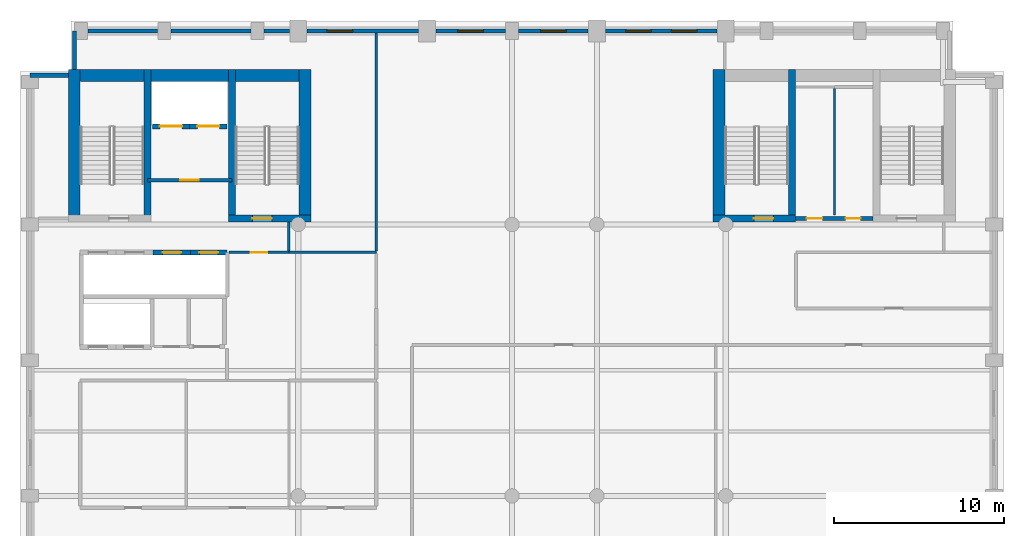
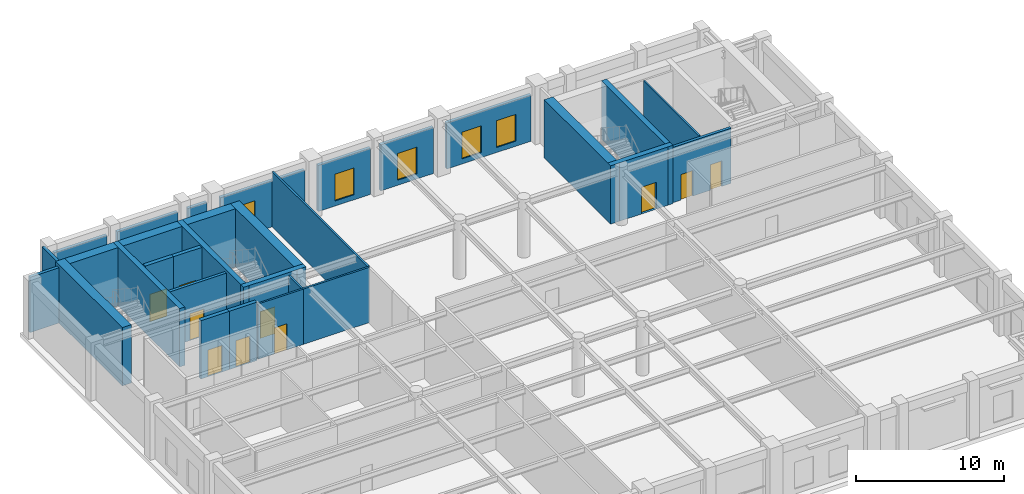
# One storey, part 6 of 10: 29 walls, 10 doors, 5 windows, 15 openings.
"""IFC4 building model written with IfcOpenShell, lengths in metres."""

from ifc_helpers import new_model, si_unit, direction, frame, frame_2d, origin, place, context, subcontext, project, spatial, rectangle, extrude, material, layer, layer_set, type_object, element, fill, save


model = new_model("IFC4")

# Units and contexts
model_context = context("Model", 3, precision=1e-05, world=origin(), true_north=direction((0.0, 1.0)))
body_context = subcontext(model_context, "Body", "Model", "MODEL_VIEW")
ifc_project = project(units=[si_unit("LENGTHUNIT", "METRE"), si_unit("AREAUNIT", "SQUARE_METRE"), si_unit("VOLUMEUNIT", "CUBIC_METRE"), si_unit("PLANEANGLEUNIT", "RADIAN"), si_unit("MASSUNIT", "GRAM", prefix="KILO")], contexts=[model_context])

# Site, building, storey
site_placement = place(None, origin())
site = spatial("IfcSite", under=ifc_project, at=site_placement, CompositionType="ELEMENT")
building_placement = place(site_placement, origin())
building = spatial("IfcBuilding", under=site, at=building_placement, Name="Sulina Concourse Tower", CompositionType="ELEMENT")
storey_placement = place(building_placement, frame((0.0, 0.0, 243.800048828125)))
storey = spatial("IfcBuildingStorey", under=building, at=storey_placement, Name="L59", CompositionType="ELEMENT", Elevation=243.800048828125)

# Wall, opening, door
ifc_material_1 = material(Name="Concrete C50/60", Category="concrete")
ifc_layer_1 = layer(ifc_material_1, 0.300048828125)
ifc_layer_set_1 = layer_set([ifc_layer_1], Name="Concrete C50/60")
wall_type_1 = type_object("IfcWallType", Name="Core Lift Hoistway Wall 300mm", PredefinedType="SOLIDWALL", material=ifc_layer_set_1)
wall_1_placement = place(storey_placement, frame((7.85009765625, 32.35009765625, 0.0), z_axis=(0.0, 0.0, 1.0), x_axis=(1.0, 0.0, 0.0)))
wall_1 = element("IfcWall", 1, at=wall_1_placement, inside=storey, type_object=wall_type_1, Name="L59 hoistway enclosure wall LP-11", PredefinedType="SOLIDWALL", context=body_context, shape_type="SweptSolid", body=[
    extrude(rectangle(XDim=2.199951171875, YDim=0.300048828125, at=frame_2d((1.10009765625, 0.0))), origin(), (0.0, 0.0, 1.0), 4.800048828125),
])
opening_1_placement = place(wall_1_placement, frame((0.550048828125, 0.0, 0.0)))
opening_1 = element("IfcOpeningElement", 2, at=opening_1_placement, cuts=wall_1, Name="Opening LD-01", PredefinedType="OPENING", context=body_context, shape_type="SweptSolid", body=[
    extrude(rectangle(XDim=1.10009765625, YDim=2.199951171875, at=frame_2d((0.550048828125, 1.10009765625))), frame((0.0, 0.159912109375, 0.0), z_axis=(0.0, -1.0, 0.0), x_axis=(1.0, 0.0, 0.0)), (0.0, 0.0, 1.0), 0.320068359375),
])
ifc_material_2 = material(Name="Stainless steel lift landing door", Category="steel")
ifc_layer_2 = layer(ifc_material_2, 0.050048828125)
ifc_layer_set_2 = layer_set([ifc_layer_2], Name="Stainless steel lift landing door")
door_type_1 = type_object("IfcDoorType", Name="Passenger Lift Sliding Landing Door 1100x2200", OperationType="SLIDING_TO_LEFT", PredefinedType="DOOR", material=ifc_layer_set_2)
door_1_placement = place(opening_1_placement, origin())
door_1 = element("IfcDoor", 3, at=door_1_placement, inside=storey, type_object=door_type_1, Name="L59 lift landing sliding door LP-11", OperationType="SLIDING_TO_LEFT", OverallHeight=2.199951171875, OverallWidth=1.10009765625, PredefinedType="DOOR", context=body_context, shape_type="SweptSolid", body=[
    extrude(rectangle(XDim=1.10009765625, YDim=2.199951171875, at=frame_2d((0.550048828125, 1.10009765625))), frame((0.0, 0.02490234375, 0.0), z_axis=(0.0, -1.0, 0.0), x_axis=(1.0, 0.0, 0.0)), (0.0, 0.0, 1.0), 0.050048828125),
])
fill(opening_1, door_1)

wall_2_placement = place(storey_placement, frame((10.050048828125, 32.35009765625, 0.0), z_axis=(0.0, 0.0, 1.0), x_axis=(1.0, 0.0, 0.0)))
wall_2 = element("IfcWall", 4, at=wall_2_placement, inside=storey, type_object=wall_type_1, Name="L59 hoistway enclosure wall LP-12", PredefinedType="SOLIDWALL", context=body_context, shape_type="SweptSolid", body=[
    extrude(rectangle(XDim=2.14990234375, YDim=0.300048828125, at=frame_2d((1.074951171875, 0.0))), origin(), (0.0, 0.0, 1.0), 4.800048828125),
])
opening_2_placement = place(wall_2_placement, frame((0.52490234375, 0.0, 0.0)))
opening_2 = element("IfcOpeningElement", 5, at=opening_2_placement, cuts=wall_2, Name="Opening LD-01", PredefinedType="OPENING", context=body_context, shape_type="SweptSolid", body=[
    extrude(rectangle(XDim=1.10009765625, YDim=2.199951171875, at=frame_2d((0.550048828125, 1.10009765625))), frame((0.0, 0.159912109375, 0.0), z_axis=(0.0, -1.0, 0.0), x_axis=(1.0, 0.0, 0.0)), (0.0, 0.0, 1.0), 0.320068359375),
])
door_2_placement = place(opening_2_placement, origin())
door_2 = element("IfcDoor", 6, at=door_2_placement, inside=storey, type_object=door_type_1, Name="L59 lift landing sliding door LP-12", OperationType="SLIDING_TO_RIGHT", OverallHeight=2.199951171875, OverallWidth=1.10009765625, PredefinedType="DOOR", context=body_context, shape_type="SweptSolid", body=[
    extrude(rectangle(XDim=1.10009765625, YDim=2.199951171875, at=frame_2d((0.550048828125, 1.10009765625))), frame((0.0, 0.02490234375, 0.0), z_axis=(0.0, -1.0, 0.0), x_axis=(1.0, 0.0, 0.0)), (0.0, 0.0, 1.0), 0.050048828125),
])
fill(opening_2, door_2)

wall_3_placement = place(storey_placement, frame((10.0, 39.780029296875, 0.0), z_axis=(0.0, 0.0, 1.0), x_axis=(-1.0, 0.0, 0.0)))
wall_3 = element("IfcWall", 7, at=wall_3_placement, inside=storey, type_object=wall_type_1, Name="L59 hoistway enclosure wall FFL-1", PredefinedType="SOLIDWALL", context=body_context, shape_type="SweptSolid", body=[
    extrude(rectangle(XDim=2.199951171875, YDim=0.300048828125, at=frame_2d((1.10009765625, 0.0))), origin(), (0.0, 0.0, 1.0), 4.800048828125),
])
opening_3_placement = place(wall_3_placement, frame((0.449951171875, 0.0, 0.0)))
opening_3 = element("IfcOpeningElement", 8, at=opening_3_placement, cuts=wall_3, Name="Opening LD-02", PredefinedType="OPENING", context=body_context, shape_type="SweptSolid", body=[
    extrude(rectangle(XDim=1.300048828125, YDim=2.25, at=frame_2d((0.64990234375, 1.125))), frame((0.0, 0.159912109375, 0.0), z_axis=(0.0, -1.0, 0.0), x_axis=(1.0, 0.0, 0.0)), (0.0, 0.0, 1.0), 0.320068359375),
])
ifc_material_3 = material(Name="Stainless steel lift landing door", Category="steel")
ifc_layer_3 = layer(ifc_material_3, 0.050048828125)
ifc_layer_set_3 = layer_set([ifc_layer_3], Name="Stainless steel lift landing door")
door_type_2 = type_object("IfcDoorType", Name="Firefighting Lift Sliding Landing Door 1300x2250", OperationType="SLIDING_TO_RIGHT", PredefinedType="DOOR", material=ifc_layer_set_3)
door_3_placement = place(opening_3_placement, origin())
door_3 = element("IfcDoor", 9, at=door_3_placement, inside=storey, type_object=door_type_2, Name="L59 lift landing sliding door FFL-1", OperationType="SLIDING_TO_LEFT", OverallHeight=2.25, OverallWidth=1.300048828125, PredefinedType="DOOR", context=body_context, shape_type="SweptSolid", body=[
    extrude(rectangle(XDim=1.300048828125, YDim=2.25, at=frame_2d((0.64990234375, 1.125))), frame((0.0, 0.02490234375, 0.0), z_axis=(0.0, -1.0, 0.0), x_axis=(1.0, 0.0, 0.0)), (0.0, 0.0, 1.0), 0.050048828125),
])
fill(opening_3, door_3)

wall_4_placement = place(storey_placement, frame((12.199951171875, 39.780029296875, 0.0), z_axis=(0.0, 0.0, 1.0), x_axis=(-1.0, 0.0, 0.0)))
wall_4 = element("IfcWall", 10, at=wall_4_placement, inside=storey, type_object=wall_type_1, Name="L59 hoistway enclosure wall FFL-2", PredefinedType="SOLIDWALL", context=body_context, shape_type="SweptSolid", body=[
    extrude(rectangle(XDim=2.199951171875, YDim=0.300048828125, at=frame_2d((1.10009765625, 0.0))), origin(), (0.0, 0.0, 1.0), 4.800048828125),
])
opening_4_placement = place(wall_4_placement, frame((0.449951171875, 0.0, 0.0)))
opening_4 = element("IfcOpeningElement", 11, at=opening_4_placement, cuts=wall_4, Name="Opening LD-02", PredefinedType="OPENING", context=body_context, shape_type="SweptSolid", body=[
    extrude(rectangle(XDim=1.300048828125, YDim=2.25, at=frame_2d((0.64990234375, 1.125))), frame((0.0, 0.159912109375, 0.0), z_axis=(0.0, -1.0, 0.0), x_axis=(1.0, 0.0, 0.0)), (0.0, 0.0, 1.0), 0.320068359375),
])
door_4_placement = place(opening_4_placement, origin())
door_4 = element("IfcDoor", 12, at=door_4_placement, inside=storey, type_object=door_type_2, Name="L59 lift landing sliding door FFL-2", OperationType="SLIDING_TO_RIGHT", OverallHeight=2.25, OverallWidth=1.300048828125, PredefinedType="DOOR", context=body_context, shape_type="SweptSolid", body=[
    extrude(rectangle(XDim=1.300048828125, YDim=2.25, at=frame_2d((0.64990234375, 1.125))), frame((0.0, 0.02490234375, 0.0), z_axis=(0.0, -1.0, 0.0), x_axis=(1.0, 0.0, 0.0)), (0.0, 0.0, 1.0), 0.050048828125),
])
fill(opening_4, door_4)

# Walls
ifc_material_4 = material(Name="Precast concrete C50/60", Category="concrete")
ifc_layer_4 = layer(ifc_material_4, 0.239990234375)
ifc_layer_set_4 = layer_set([ifc_layer_4], Name="Precast concrete C50/60")
wall_type_2 = type_object("IfcWallType", Name="Crown Precast Masonry-Frame Facade Wall 240mm", PredefinedType="SOLIDWALL", material=ifc_layer_set_4)
wall_5_placement = place(storey_placement, frame((3.9951171875, 45.39990234375, 0.0), z_axis=(0.0, 0.0, 1.0), x_axis=(1.0, 0.0, 0.0)))
element("IfcWall", 13, at=wall_5_placement, inside=storey, type_object=wall_type_2, Name="L59 exterior precast wall N1", PredefinedType="SOLIDWALL", context=body_context, shape_type="SweptSolid", body=[
    extrude(rectangle(XDim=4.10986328125, YDim=0.239990234375, at=frame_2d((2.054931640625, 0.0))), origin(), (0.0, 0.0, 1.0), 3.800048828125),
])
wall_6_placement = place(storey_placement, frame((8.89501953125, 45.39990234375, 0.0), z_axis=(0.0, 0.0, 1.0), x_axis=(1.0, 0.0, 0.0)))
element("IfcWall", 14, at=wall_6_placement, inside=storey, type_object=wall_type_2, Name="L59 exterior precast wall N2", PredefinedType="SOLIDWALL", context=body_context, shape_type="SweptSolid", body=[
    extrude(rectangle(XDim=4.7099609375, YDim=0.239990234375, at=frame_2d((2.35498046875, 0.0))), origin(), (0.0, 0.0, 1.0), 3.800048828125),
])
wall_7_placement = place(storey_placement, frame((14.39501953125, 45.39990234375, 0.0), z_axis=(0.0, 0.0, 1.0), x_axis=(1.0, 0.0, 0.0)))
element("IfcWall", 15, at=wall_7_placement, inside=storey, type_object=wall_type_2, Name="L59 exterior precast wall N3", PredefinedType="SOLIDWALL", context=body_context, shape_type="SweptSolid", body=[
    extrude(rectangle(XDim=1.48486328125, YDim=0.239990234375, at=frame_2d((0.742431640625, 0.0))), origin(), (0.0, 0.0, 1.0), 3.800048828125),
])

# Wall, opening, window
wall_8_placement = place(storey_placement, frame((16.919921875, 45.39990234375, 0.0), z_axis=(0.0, 0.0, 1.0), x_axis=(1.0, 0.0, 0.0)))
wall_8 = element("IfcWall", 16, at=wall_8_placement, inside=storey, type_object=wall_type_2, Name="L59 exterior precast wall N4", PredefinedType="SOLIDWALL", context=body_context, shape_type="SweptSolid", body=[
    extrude(rectangle(XDim=6.56005859375, YDim=0.239990234375, at=frame_2d((3.280029296875, 0.0))), origin(), (0.0, 0.0, 1.0), 3.800048828125),
])
opening_5_placement = place(wall_8_placement, frame((1.186767578125, 0.0, 0.419921875)))
opening_5 = element("IfcOpeningElement", 17, at=opening_5_placement, cuts=wall_8, Name="Opening WN-71", PredefinedType="OPENING", context=body_context, shape_type="SweptSolid", body=[
    extrude(rectangle(XDim=1.5, YDim=2.199951171875, at=frame_2d((0.75, 1.10009765625))), frame((0.0, 0.1298828125, 0.0), z_axis=(0.0, -1.0, 0.0), x_axis=(1.0, 0.0, 0.0)), (0.0, 0.0, 1.0), 0.260009765625),
])
ifc_material_5 = material(Name="Low-E solar double glazing in bronze aluminium", Category="aluminium")
window_type = type_object("IfcWindowType", Name="Punched Masonry-Frame Window 1500x2200", PartitioningType="SINGLE_PANEL", PredefinedType="WINDOW", material=ifc_material_5)
window_1_placement = place(opening_5_placement, origin())
window_1 = element("IfcWindow", 18, at=window_1_placement, inside=storey, type_object=window_type, Name="L59 punched window N4-1", OverallHeight=2.199951171875, OverallWidth=1.5, PartitioningType="SINGLE_PANEL", PredefinedType="WINDOW", context=body_context, shape_type="SweptSolid", body=[
    extrude(rectangle(XDim=1.5, YDim=2.199951171875, at=frame_2d((0.75, 1.10009765625))), frame((0.0, 0.030029296875, 0.0), z_axis=(0.0, -1.0, 0.0), x_axis=(1.0, 0.0, 0.0)), (0.0, 0.0, 1.0), 0.06005859375),
])
fill(opening_5, window_1)

wall_9_placement = place(storey_placement, frame((24.52001953125, 45.39990234375, 0.0), z_axis=(0.0, 0.0, 1.0), x_axis=(1.0, 0.0, 0.0)))
wall_9 = element("IfcWall", 19, at=wall_9_placement, inside=storey, type_object=wall_type_2, Name="L59 exterior precast wall N5", PredefinedType="SOLIDWALL", context=body_context, shape_type="SweptSolid", body=[
    extrude(rectangle(XDim=4.0849609375, YDim=0.239990234375, at=frame_2d((2.04248046875, 0.0))), origin(), (0.0, 0.0, 1.0), 3.800048828125),
])
opening_6_placement = place(wall_9_placement, frame((1.29248046875, 0.0, 0.419921875)))
opening_6 = element("IfcOpeningElement", 20, at=opening_6_placement, cuts=wall_9, Name="Opening WN-71", PredefinedType="OPENING", context=body_context, shape_type="SweptSolid", body=[
    extrude(rectangle(XDim=1.5, YDim=2.199951171875, at=frame_2d((0.75, 1.10009765625))), frame((0.0, 0.1298828125, 0.0), z_axis=(0.0, -1.0, 0.0), x_axis=(1.0, 0.0, 0.0)), (0.0, 0.0, 1.0), 0.260009765625),
])
window_2_placement = place(opening_6_placement, origin())
window_2 = element("IfcWindow", 21, at=window_2_placement, inside=storey, type_object=window_type, Name="L59 punched window N5-1", OverallHeight=2.199951171875, OverallWidth=1.5, PartitioningType="SINGLE_PANEL", PredefinedType="WINDOW", context=body_context, shape_type="SweptSolid", body=[
    extrude(rectangle(XDim=1.5, YDim=2.199951171875, at=frame_2d((0.75, 1.10009765625))), frame((0.0, 0.030029296875, 0.0), z_axis=(0.0, -1.0, 0.0), x_axis=(1.0, 0.0, 0.0)), (0.0, 0.0, 1.0), 0.06005859375),
])
fill(opening_6, window_2)

wall_10_placement = place(storey_placement, frame((29.39501953125, 45.39990234375, 0.0), z_axis=(0.0, 0.0, 1.0), x_axis=(1.0, 0.0, 0.0)))
wall_10 = element("IfcWall", 22, at=wall_10_placement, inside=storey, type_object=wall_type_2, Name="L59 exterior precast wall N6", PredefinedType="SOLIDWALL", context=body_context, shape_type="SweptSolid", body=[
    extrude(rectangle(XDim=4.0849609375, YDim=0.239990234375, at=frame_2d((2.04248046875, 0.0))), origin(), (0.0, 0.0, 1.0), 3.800048828125),
])
opening_7_placement = place(wall_10_placement, frame((1.29248046875, 0.0, 0.419921875)))
opening_7 = element("IfcOpeningElement", 23, at=opening_7_placement, cuts=wall_10, Name="Opening WN-71", PredefinedType="OPENING", context=body_context, shape_type="SweptSolid", body=[
    extrude(rectangle(XDim=1.5, YDim=2.199951171875, at=frame_2d((0.75, 1.10009765625))), frame((0.0, 0.1298828125, 0.0), z_axis=(0.0, -1.0, 0.0), x_axis=(1.0, 0.0, 0.0)), (0.0, 0.0, 1.0), 0.260009765625),
])
window_3_placement = place(opening_7_placement, origin())
window_3 = element("IfcWindow", 24, at=window_3_placement, inside=storey, type_object=window_type, Name="L59 punched window N6-1", OverallHeight=2.199951171875, OverallWidth=1.5, PartitioningType="SINGLE_PANEL", PredefinedType="WINDOW", context=body_context, shape_type="SweptSolid", body=[
    extrude(rectangle(XDim=1.5, YDim=2.199951171875, at=frame_2d((0.75, 1.10009765625))), frame((0.0, 0.030029296875, 0.0), z_axis=(0.0, -1.0, 0.0), x_axis=(1.0, 0.0, 0.0)), (0.0, 0.0, 1.0), 0.06005859375),
])
fill(opening_7, window_3)

# Wall, openings, windows
wall_11_placement = place(storey_placement, frame((34.52001953125, 45.39990234375, 0.0), z_axis=(0.0, 0.0, 1.0), x_axis=(1.0, 0.0, 0.0)))
wall_11 = element("IfcWall", 25, at=wall_11_placement, inside=storey, type_object=wall_type_2, Name="L59 exterior precast wall N7", PredefinedType="SOLIDWALL", context=body_context, shape_type="SweptSolid", body=[
    extrude(rectangle(XDim=6.56005859375, YDim=0.239990234375, at=frame_2d((3.280029296875, 0.0))), origin(), (0.0, 0.0, 1.0), 3.800048828125),
])
opening_8_placement = place(wall_11_placement, frame((1.186767578125, 0.0, 0.419921875)))
opening_8 = element("IfcOpeningElement", 26, at=opening_8_placement, cuts=wall_11, Name="Opening WN-71", PredefinedType="OPENING", context=body_context, shape_type="SweptSolid", body=[
    extrude(rectangle(XDim=1.5, YDim=2.199951171875, at=frame_2d((0.75, 1.10009765625))), frame((0.0, 0.1298828125, 0.0), z_axis=(0.0, -1.0, 0.0), x_axis=(1.0, 0.0, 0.0)), (0.0, 0.0, 1.0), 0.260009765625),
])
opening_9_placement = place(wall_11_placement, frame((3.873291015625, 0.0, 0.419921875)))
opening_9 = element("IfcOpeningElement", 27, at=opening_9_placement, cuts=wall_11, Name="Opening WN-71", PredefinedType="OPENING", context=body_context, shape_type="SweptSolid", body=[
    extrude(rectangle(XDim=1.5, YDim=2.199951171875, at=frame_2d((0.75, 1.10009765625))), frame((0.0, 0.1298828125, 0.0), z_axis=(0.0, -1.0, 0.0), x_axis=(1.0, 0.0, 0.0)), (0.0, 0.0, 1.0), 0.260009765625),
])
window_4_placement = place(opening_8_placement, origin())
window_4 = element("IfcWindow", 28, at=window_4_placement, inside=storey, type_object=window_type, Name="L59 punched window N7-1", OverallHeight=2.199951171875, OverallWidth=1.5, PartitioningType="SINGLE_PANEL", PredefinedType="WINDOW", context=body_context, shape_type="SweptSolid", body=[
    extrude(rectangle(XDim=1.5, YDim=2.199951171875, at=frame_2d((0.75, 1.10009765625))), frame((0.0, 0.030029296875, 0.0), z_axis=(0.0, -1.0, 0.0), x_axis=(1.0, 0.0, 0.0)), (0.0, 0.0, 1.0), 0.06005859375),
])
fill(opening_8, window_4)
window_5_placement = place(opening_9_placement, origin())
window_5 = element("IfcWindow", 29, at=window_5_placement, inside=storey, type_object=window_type, Name="L59 punched window N7-2", OverallHeight=2.199951171875, OverallWidth=1.5, PartitioningType="SINGLE_PANEL", PredefinedType="WINDOW", context=body_context, shape_type="SweptSolid", body=[
    extrude(rectangle(XDim=1.5, YDim=2.199951171875, at=frame_2d((0.75, 1.10009765625))), frame((0.0, 0.030029296875, 0.0), z_axis=(0.0, -1.0, 0.0), x_axis=(1.0, 0.0, 0.0)), (0.0, 0.0, 1.0), 0.06005859375),
])
fill(opening_9, window_5)

# Walls
wall_12_placement = place(storey_placement, frame((0.60009765625, 42.794921875, 0.0), z_axis=(0.0, 0.0, 1.0), x_axis=(1.0, 0.0, 0.0)))
element("IfcWall", 30, at=wall_12_placement, inside=storey, type_object=wall_type_2, Name="L59 exterior precast wall CNW1", PredefinedType="SOLIDWALL", context=body_context, shape_type="SweptSolid", body=[
    extrude(rectangle(XDim=2.244873046875, YDim=0.239990234375, at=frame_2d((1.12255859375, 0.0))), origin(), (0.0, 0.0, 1.0), 4.550048828125),
])
wall_13_placement = place(storey_placement, frame((3.205078125, 43.135009765625, 0.0), z_axis=(0.0, 0.0, 1.0), x_axis=(0.0, 1.0, 0.0)))
element("IfcWall", 31, at=wall_13_placement, inside=storey, type_object=wall_type_2, Name="L59 exterior precast wall CNW2", PredefinedType="SOLIDWALL", context=body_context, shape_type="SweptSolid", body=[
    extrude(rectangle(XDim=2.264892578125, YDim=0.239990234375, at=frame_2d((1.13232421875, 0.0))), origin(), (0.0, 0.0, 1.0), 4.550048828125),
])

# Wall, opening, door
ifc_material_6 = material(Name="Gypsum board on steel stud", Category="steel")
ifc_layer_5 = layer(ifc_material_6, 0.219970703125)
ifc_layer_set_5 = layer_set([ifc_layer_5], Name="Gypsum board on steel stud")
wall_type_3 = type_object("IfcWallType", Name="Fire-Rated Lobby & Compartment Wall 220mm", PredefinedType="PARTITIONING", material=ifc_layer_set_5)
wall_14_placement = place(storey_placement, frame((7.510009765625, 36.60009765625, 0.0), z_axis=(0.0, 0.0, 1.0), x_axis=(1.0, 0.0, 0.0)))
wall_14 = element("IfcWall", 32, at=wall_14_placement, inside=storey, type_object=wall_type_3, Name="L59 firefighting lobby south fire wall", PredefinedType="PARTITIONING", context=body_context, shape_type="SweptSolid", body=[
    extrude(rectangle(XDim=4.97998046875, YDim=0.219970703125, at=frame_2d((2.489990234375, 0.0))), origin(), (0.0, 0.0, 1.0), 4.550048828125),
])
opening_10_placement = place(wall_14_placement, frame((1.93994140625, 0.0, 0.0)))
opening_10 = element("IfcOpeningElement", 33, at=opening_10_placement, cuts=wall_14, Name="Opening DR-47", PredefinedType="OPENING", context=body_context, shape_type="SweptSolid", body=[
    extrude(rectangle(XDim=1.10009765625, YDim=2.199951171875, at=frame_2d((0.550048828125, 1.10009765625))), frame((0.0, 0.119873046875, 0.0), z_axis=(0.0, -1.0, 0.0), x_axis=(1.0, 0.0, 0.0)), (0.0, 0.0, 1.0), 0.239990234375),
])
ifc_material_7 = material(Name="Galvanised steel acoustic fire leaf", Category="steel")
ifc_layer_6 = layer(ifc_material_7, 0.054931640625)
ifc_layer_set_6 = layer_set([ifc_layer_6], Name="Galvanised steel acoustic fire leaf")
door_type_3 = type_object("IfcDoorType", Name="Firefighting Lobby Fire Door 1100x2200", OperationType="NOTDEFINED", PredefinedType="DOOR", material=ifc_layer_set_6)
door_5_placement = place(opening_10_placement, origin())
door_5 = element("IfcDoor", 34, at=door_5_placement, inside=storey, type_object=door_type_3, Name="L59 firefighting lobby fire door", OperationType="SINGLE_SWING_RIGHT", OverallHeight=2.199951171875, OverallWidth=1.10009765625, PredefinedType="DOOR", context=body_context, shape_type="SweptSolid", body=[
    extrude(rectangle(XDim=1.10009765625, YDim=2.199951171875, at=frame_2d((0.550048828125, 1.10009765625))), frame((0.0, 0.02490234375, 0.0), z_axis=(0.0, -1.0, 0.0), x_axis=(1.0, 0.0, 0.0)), (0.0, 0.0, 1.0), 0.050048828125),
])
fill(opening_10, door_5)

# Wall, openings, doors
wall_15_placement = place(storey_placement, frame((45.719970703125, 34.35009765625, 0.0), z_axis=(0.0, 0.0, 1.0), x_axis=(1.0, 0.0, 0.0)))
wall_15 = element("IfcWall", 35, at=wall_15_placement, inside=storey, type_object=wall_type_3, Name="L59 east core south lobby wall", PredefinedType="PARTITIONING", context=body_context, shape_type="SweptSolid", body=[
    extrude(rectangle(XDim=4.56005859375, YDim=0.219970703125, at=frame_2d((2.280029296875, 0.0))), origin(), (0.0, 0.0, 1.0), 4.550048828125),
])
opening_11_placement = place(wall_15_placement, frame((0.64990234375, 0.0, 0.0)))
opening_11 = element("IfcOpeningElement", 36, at=opening_11_placement, cuts=wall_15, Name="Opening DR-61", PredefinedType="OPENING", context=body_context, shape_type="SweptSolid", body=[
    extrude(rectangle(XDim=0.919921875, YDim=2.10009765625, at=frame_2d((0.4599609375, 1.050048828125))), frame((0.0, 0.119873046875, 0.0), z_axis=(0.0, -1.0, 0.0), x_axis=(1.0, 0.0, 0.0)), (0.0, 0.0, 1.0), 0.239990234375),
])
opening_12_placement = place(wall_15_placement, frame((2.949951171875, 0.0, 0.0)))
opening_12 = element("IfcOpeningElement", 37, at=opening_12_placement, cuts=wall_15, Name="Opening DR-38", PredefinedType="OPENING", context=body_context, shape_type="SweptSolid", body=[
    extrude(rectangle(XDim=0.8798828125, YDim=2.10009765625, at=frame_2d((0.43994140625, 1.050048828125))), frame((0.0, 0.119873046875, 0.0), z_axis=(0.0, -1.0, 0.0), x_axis=(1.0, 0.0, 0.0)), (0.0, 0.0, 1.0), 0.239990234375),
])
ifc_material_8 = material(Name="Oak-veneered fire door leaf")
ifc_layer_7 = layer(ifc_material_8, 0.050048828125)
ifc_layer_set_7 = layer_set([ifc_layer_7], Name="Oak-veneered fire door leaf")
door_type_4 = type_object("IfcDoorType", Name="Accessible WC Door 920x2100", OperationType="NOTDEFINED", PredefinedType="DOOR", material=ifc_layer_set_7)
door_6_placement = place(opening_11_placement, origin())
door_6 = element("IfcDoor", 38, at=door_6_placement, inside=storey, type_object=door_type_4, Name="L59 east core accessible wc door", OperationType="SINGLE_SWING_RIGHT", OverallHeight=2.10009765625, OverallWidth=0.919921875, PredefinedType="DOOR", context=body_context, shape_type="SweptSolid", body=[
    extrude(rectangle(XDim=0.919921875, YDim=2.10009765625, at=frame_2d((0.4599609375, 1.050048828125))), frame((0.0, 0.02490234375, 0.0), z_axis=(0.0, -1.0, 0.0), x_axis=(1.0, 0.0, 0.0)), (0.0, 0.0, 1.0), 0.050048828125),
])
fill(opening_11, door_6)
ifc_material_9 = material(Name="Galvanised steel acoustic fire leaf", Category="steel")
ifc_layer_8 = layer(ifc_material_9, 0.050048828125)
ifc_layer_set_8 = layer_set([ifc_layer_8], Name="Galvanised steel acoustic fire leaf")
door_type_5 = type_object("IfcDoorType", Name="Service Riser Fire Door 880x2100", OperationType="NOTDEFINED", PredefinedType="DOOR", material=ifc_layer_set_8)
door_7_placement = place(opening_12_placement, origin())
door_7 = element("IfcDoor", 39, at=door_7_placement, inside=storey, type_object=door_type_5, Name="L59 east core store door", OperationType="SINGLE_SWING_LEFT", OverallHeight=2.10009765625, OverallWidth=0.8798828125, PredefinedType="DOOR", context=body_context, shape_type="SweptSolid", body=[
    extrude(rectangle(XDim=0.8798828125, YDim=2.10009765625, at=frame_2d((0.43994140625, 1.050048828125))), frame((0.0, 0.02490234375, 0.0), z_axis=(0.0, -1.0, 0.0), x_axis=(1.0, 0.0, 0.0)), (0.0, 0.0, 1.0), 0.050048828125),
])
fill(opening_12, door_7)

# Wall, opening, door
ifc_material_10 = material(Name="Gypsum board on steel stud", Category="steel")
ifc_layer_9 = layer(ifc_material_10, 0.14990234375)
ifc_layer_set_9 = layer_set([ifc_layer_9], Name="Gypsum board on steel stud")
wall_type_4 = type_object("IfcWallType", Name="Inter-Tenancy Acoustic Partition 150mm", PredefinedType="PARTITIONING", material=ifc_layer_set_9)
wall_16_placement = place(storey_placement, frame((12.330078125, 32.35009765625, 0.0), z_axis=(0.0, 0.0, 1.0), x_axis=(1.0, 0.0, 0.0)))
wall_16 = element("IfcWall", 40, at=wall_16_placement, inside=storey, type_object=wall_type_4, Name="L59 interior partition 015", PredefinedType="PARTITIONING", context=body_context, shape_type="SweptSolid", body=[
    extrude(rectangle(XDim=3.52001953125, YDim=0.14990234375, at=frame_2d((1.760009765625, 0.0))), origin(), (0.0, 0.0, 1.0), 4.550048828125),
])
opening_13_placement = place(wall_16_placement, frame((1.284912109375, 0.0, 0.0)))
opening_13 = element("IfcOpeningElement", 41, at=opening_13_placement, cuts=wall_16, Name="Opening DR-19", PredefinedType="OPENING", context=body_context, shape_type="SweptSolid", body=[
    extrude(rectangle(XDim=0.949951171875, YDim=2.14990234375, at=frame_2d((0.47509765625, 1.074951171875))), frame((0.0, 0.0849609375, 0.0), z_axis=(0.0, -1.0, 0.0), x_axis=(1.0, 0.0, 0.0)), (0.0, 0.0, 1.0), 0.169921875),
])
ifc_material_11 = material(Name="Oak-veneered acoustic timber leaf", Category="wood")
ifc_layer_10 = layer(ifc_material_11, 0.050048828125)
ifc_layer_set_10 = layer_set([ifc_layer_10], Name="Oak-veneered acoustic timber leaf")
door_type_6 = type_object("IfcDoorType", Name="Cellular Office & Meeting Door 950x2150", OperationType="NOTDEFINED", PredefinedType="DOOR", material=ifc_layer_set_10)
door_8_placement = place(opening_13_placement, origin())
door_8 = element("IfcDoor", 42, at=door_8_placement, inside=storey, type_object=door_type_6, Name="L59 interior door L59-MR-MRG1", OperationType="SINGLE_SWING_RIGHT", OverallHeight=2.14990234375, OverallWidth=0.949951171875, PredefinedType="DOOR", context=body_context, shape_type="SweptSolid", body=[
    extrude(rectangle(XDim=0.949951171875, YDim=2.14990234375, at=frame_2d((0.47509765625, 1.074951171875))), frame((0.0, 0.02490234375, 0.0), z_axis=(0.0, -1.0, 0.0), x_axis=(1.0, 0.0, 0.0)), (0.0, 0.0, 1.0), 0.050048828125),
])
fill(opening_13, door_8)

# Walls
wall_17_placement = place(storey_placement, frame((15.85009765625, 32.35009765625, 0.0), z_axis=(0.0, 0.0, 1.0), x_axis=(1.0, 0.0, 0.0)))
element("IfcWall", 43, at=wall_17_placement, inside=storey, type_object=wall_type_4, Name="L59 interior partition 016", PredefinedType="PARTITIONING", context=body_context, shape_type="SweptSolid", body=[
    extrude(rectangle(XDim=5.14990234375, YDim=0.14990234375, at=frame_2d((2.574951171875, 0.0))), origin(), (0.0, 0.0, 1.0), 4.550048828125),
])
wall_18_placement = place(storey_placement, frame((15.85009765625, 32.425048828125, 0.0), z_axis=(0.0, 0.0, 1.0), x_axis=(0.0, 1.0, 0.0)))
element("IfcWall", 44, at=wall_18_placement, inside=storey, type_object=wall_type_4, Name="L59 interior partition 028", PredefinedType="PARTITIONING", context=body_context, shape_type="SweptSolid", body=[
    extrude(rectangle(XDim=1.724853515625, YDim=0.14990234375, at=frame_2d((0.8623046875, 0.0))), origin(), (0.0, 0.0, 1.0), 4.550048828125),
])
wall_19_placement = place(storey_placement, frame((21.0, 32.425048828125, 0.0), z_axis=(0.0, 0.0, 1.0), x_axis=(0.0, 1.0, 0.0)))
element("IfcWall", 45, at=wall_19_placement, inside=storey, type_object=wall_type_4, Name="L59 interior partition 034", PredefinedType="PARTITIONING", context=body_context, shape_type="SweptSolid", body=[
    extrude(rectangle(XDim=12.85498046875, YDim=0.14990234375, at=frame_2d((6.427490234375, 0.0))), origin(), (0.0, 0.0, 1.0), 4.550048828125),
])

# Wall, opening, door
ifc_material_12 = material(Name="Concrete C60/75", Category="concrete")
ifc_layer_11 = layer(ifc_material_12, 0.39990234375)
ifc_layer_set_11 = layer_set([ifc_layer_11], Name="Concrete C60/75")
wall_type_5 = type_object("IfcWallType", Name="Protected Stair Core Shear Wall 400mm", PredefinedType="SHEAR", material=ifc_layer_set_11)
wall_20_placement = place(storey_placement, frame((12.2900390625, 34.35009765625, 0.0), z_axis=(0.0, 0.0, 1.0), x_axis=(1.0, 0.0, 0.0)))
wall_20 = element("IfcWall", 46, at=wall_20_placement, inside=storey, type_object=wall_type_5, Name="L59 west core shear wall CW-WS2", PredefinedType="SHEAR", context=body_context, shape_type="SweptSolid", body=[
    extrude(rectangle(XDim=4.85986328125, YDim=0.39990234375, at=frame_2d((2.429931640625, 0.0))), origin(), (0.0, 0.0, 1.0), 4.800048828125),
])
opening_14_placement = place(wall_20_placement, frame((1.39990234375, 0.0, 0.0)))
opening_14 = element("IfcOpeningElement", 47, at=opening_14_placement, cuts=wall_20, Name="Opening DR-60", PredefinedType="OPENING", context=body_context, shape_type="SweptSolid", body=[
    extrude(rectangle(XDim=1.14990234375, YDim=2.199951171875, at=frame_2d((0.574951171875, 1.10009765625))), frame((0.0, 0.2099609375, 0.0), z_axis=(0.0, -1.0, 0.0), x_axis=(1.0, 0.0, 0.0)), (0.0, 0.0, 1.0), 0.419921875),
])
ifc_material_13 = material(Name="Galvanised steel acoustic fire leaf", Category="steel")
ifc_layer_12 = layer(ifc_material_13, 0.054931640625)
ifc_layer_set_12 = layer_set([ifc_layer_12], Name="Galvanised steel acoustic fire leaf")
door_type_7 = type_object("IfcDoorType", Name="Protected Exit Stair Fire Door 1150x2200", OperationType="NOTDEFINED", PredefinedType="DOOR", material=ifc_layer_set_12)
door_9_placement = place(opening_14_placement, origin())
door_9 = element("IfcDoor", 48, at=door_9_placement, inside=storey, type_object=door_type_7, Name="L59 stair ST-2 lobby fire door", OperationType="SINGLE_SWING_LEFT", OverallHeight=2.199951171875, OverallWidth=1.14990234375, PredefinedType="DOOR", context=body_context, shape_type="SweptSolid", body=[
    extrude(rectangle(XDim=1.14990234375, YDim=2.199951171875, at=frame_2d((0.574951171875, 1.10009765625))), frame((0.0, 0.02490234375, 0.0), z_axis=(0.0, -1.0, 0.0), x_axis=(1.0, 0.0, 0.0)), (0.0, 0.0, 1.0), 0.050048828125),
])
fill(opening_14, door_9)

# Walls
for number, where, z_axis, x_axis, name in (
    (49, (7.510009765625, 34.14990234375, 0.0), (0.0, 0.0, 1.0), (0.0, 1.0, 0.0), "L59 west core shear wall SW-ST1"),
    (50, (12.489990234375, 34.14990234375, 0.0), (0.0, 0.0, 1.0), (0.0, 1.0, 0.0), "L59 west core shear wall SW-ST2"),
):
    element("IfcWall", number, at=place(storey_placement, frame(where, z_axis=z_axis, x_axis=x_axis)), inside=storey, type_object=wall_type_5, Name=name, PredefinedType="SHEAR", context=body_context, shape_type="SweptSolid", body=[
        extrude(rectangle(XDim=8.97998046875, YDim=0.39990234375, at=frame_2d((4.489990234375, 0.0))), origin(), (0.0, 0.0, 1.0), 4.800048828125),
    ])

# Wall, opening, door
wall_21_placement = place(storey_placement, frame((40.85009765625, 34.35009765625, 0.0), z_axis=(0.0, 0.0, 1.0), x_axis=(1.0, 0.0, 0.0)))
wall_21 = element("IfcWall", 51, at=wall_21_placement, inside=storey, type_object=wall_type_5, Name="L59 east core shear wall CW-ES1", PredefinedType="SHEAR", context=body_context, shape_type="SweptSolid", body=[
    extrude(rectangle(XDim=4.85986328125, YDim=0.39990234375, at=frame_2d((2.429931640625, 0.0))), origin(), (0.0, 0.0, 1.0), 4.800048828125),
])
opening_15_placement = place(wall_21_placement, frame((2.39990234375, 0.0, 0.0)))
opening_15 = element("IfcOpeningElement", 52, at=opening_15_placement, cuts=wall_21, Name="Opening DR-60", PredefinedType="OPENING", context=body_context, shape_type="SweptSolid", body=[
    extrude(rectangle(XDim=1.14990234375, YDim=2.199951171875, at=frame_2d((0.574951171875, 1.10009765625))), frame((0.0, 0.2099609375, 0.0), z_axis=(0.0, -1.0, 0.0), x_axis=(1.0, 0.0, 0.0)), (0.0, 0.0, 1.0), 0.419921875),
])
door_10_placement = place(opening_15_placement, origin())
door_10 = element("IfcDoor", 53, at=door_10_placement, inside=storey, type_object=door_type_7, Name="L59 stair ST-3 south lobby fire door", OperationType="SINGLE_SWING_LEFT", OverallHeight=2.199951171875, OverallWidth=1.14990234375, PredefinedType="DOOR", context=body_context, shape_type="SweptSolid", body=[
    extrude(rectangle(XDim=1.14990234375, YDim=2.199951171875, at=frame_2d((0.574951171875, 1.10009765625))), frame((0.0, 0.02490234375, 0.0), z_axis=(0.0, -1.0, 0.0), x_axis=(1.0, 0.0, 0.0)), (0.0, 0.0, 1.0), 0.050048828125),
])
fill(opening_15, door_10)

# Walls
wall_22_placement = place(storey_placement, frame((45.510009765625, 34.14990234375, 0.0), z_axis=(0.0, 0.0, 1.0), x_axis=(0.0, 1.0, 0.0)))
element("IfcWall", 54, at=wall_22_placement, inside=storey, type_object=wall_type_5, Name="L59 east core shear wall SW-ST3", PredefinedType="SHEAR", context=body_context, shape_type="SweptSolid", body=[
    extrude(rectangle(XDim=8.97998046875, YDim=0.39990234375, at=frame_2d((4.489990234375, 0.0))), origin(), (0.0, 0.0, 1.0), 4.800048828125),
])
ifc_material_14 = material(Name="Concrete C60/75", Category="concrete")
ifc_layer_13 = layer(ifc_material_14, 0.699951171875)
ifc_layer_set_13 = layer_set([ifc_layer_13], Name="Concrete C60/75")
wall_type_6 = type_object("IfcWallType", Name="Rear Core Shear Wall 700mm", PredefinedType="SHEAR", material=ifc_layer_set_13)
wall_23_placement = place(storey_placement, frame((2.85009765625, 42.780029296875, 0.0), z_axis=(0.0, 0.0, 1.0), x_axis=(1.0, 0.0, 0.0)))
element("IfcWall", 55, at=wall_23_placement, inside=storey, type_object=wall_type_6, Name="L59 west core shear wall CW-WN", PredefinedType="SHEAR", context=body_context, shape_type="SweptSolid", body=[
    extrude(rectangle(XDim=14.2998046875, YDim=0.699951171875, at=frame_2d((7.14990234375, 0.0))), origin(), (0.0, 0.0, 1.0), 4.800048828125),
])
for number, where, z_axis, x_axis, name in (
    (56, (3.199951171875, 34.14990234375, 0.0), (0.0, 0.0, 1.0), (0.0, 1.0, 0.0), "L59 west core shear wall CW-WW"),
    (57, (16.800048828125, 34.14990234375, 0.0), (0.0, 0.0, 1.0), (0.0, 1.0, 0.0), "L59 west core shear wall CW-WE"),
    (58, (41.199951171875, 34.14990234375, 0.0), (0.0, 0.0, 1.0), (0.0, 1.0, 0.0), "L59 east core shear wall CW-EW"),
):
    element("IfcWall", number, at=place(storey_placement, frame(where, z_axis=z_axis, x_axis=x_axis)), inside=storey, type_object=wall_type_6, Name=name, PredefinedType="SHEAR", context=body_context, shape_type="SweptSolid", body=[
        extrude(rectangle(XDim=8.97998046875, YDim=0.699951171875, at=frame_2d((4.489990234375, 0.0))), origin(), (0.0, 0.0, 1.0), 4.800048828125),
    ])
ifc_material_15 = material(Name="Gypsum board on steel stud", Category="steel")
ifc_layer_14 = layer(ifc_material_15, 0.125)
ifc_layer_set_14 = layer_set([ifc_layer_14], Name="Gypsum board on steel stud")
wall_type_7 = type_object("IfcWallType", Name="Wet-Area Moisture-Resistant Partition 125mm", PredefinedType="PARTITIONING", material=ifc_layer_set_14)
wall_24_placement = place(storey_placement, frame((48.0, 34.550048828125, 0.0), z_axis=(0.0, 0.0, 1.0), x_axis=(0.0, 1.0, 0.0)))
element("IfcWall", 59, at=wall_24_placement, inside=storey, type_object=wall_type_7, Name="L59 interior partition 041", PredefinedType="PARTITIONING", context=body_context, shape_type="SweptSolid", body=[
    extrude(rectangle(XDim=7.474853515625, YDim=0.125, at=frame_2d((3.7373046875, 0.0))), origin(), (0.0, 0.0, 1.0), 4.550048828125),
])

save(model, "model.ifc")
